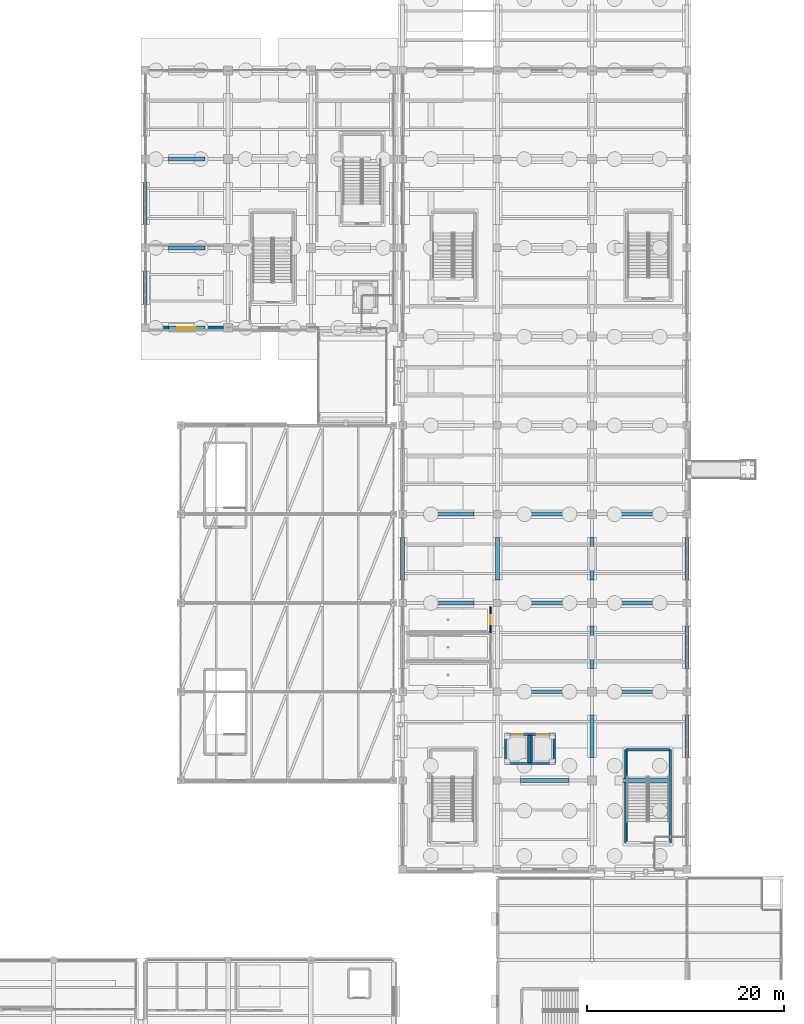
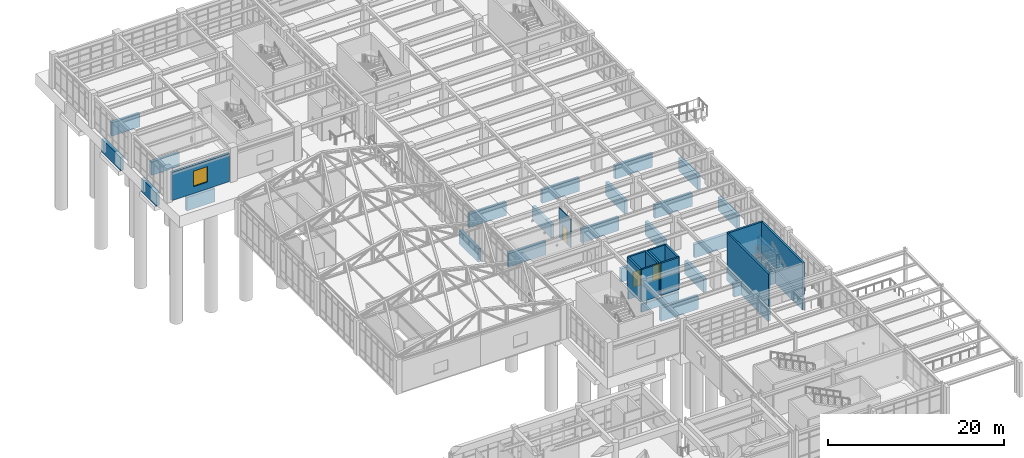
# One storey, part 113 of 139: 41 walls, 3 doors, 1 window, 4 openings.
"""IFC4 building model written with IfcOpenShell, lengths in metres."""

from ifc_helpers import new_model, si_unit, direction, frame, frame_2d, origin, place, context, subcontext, project, spatial, rectangle, extrude, material, layer, layer_set, type_object, element, fill, save


model = new_model("IFC4")

# Units and contexts
model_context = context("Model", 3, precision=1e-05, world=origin(), true_north=direction((0.0, 1.0)))
body_context = subcontext(model_context, "Body", "Model", "MODEL_VIEW")
ifc_project = project(units=[si_unit("LENGTHUNIT", "METRE"), si_unit("AREAUNIT", "SQUARE_METRE"), si_unit("VOLUMEUNIT", "CUBIC_METRE"), si_unit("PLANEANGLEUNIT", "RADIAN"), si_unit("MASSUNIT", "GRAM", prefix="KILO")], contexts=[model_context])

# Site, building, storey
site_placement = place(None, origin())
site = spatial("IfcSite", under=ifc_project, at=site_placement, CompositionType="ELEMENT")
building_placement = place(site_placement, origin())
building = spatial("IfcBuilding", under=site, at=building_placement, Name="Canglan Escarpment Cableway Terminal", CompositionType="ELEMENT")
storey_placement = place(building_placement, frame((0.0, 0.0, 14.39990234375)))
storey = spatial("IfcBuildingStorey", under=building, at=storey_placement, Name="L03", CompositionType="ELEMENT", Elevation=14.39990234375)

# Walls
ifc_material_1 = material(Name="Concrete C40", Category="concrete")
ifc_layer_1 = layer(ifc_material_1, 0.39990234375, Name="Concrete C40")
ifc_layer_set_1 = layer_set([ifc_layer_1], Name="Concrete C40")
wall_type_1 = type_object("IfcWallType", Name="WL-BENCH-SOLID-400", PredefinedType="SOLIDWALL", material=ifc_layer_set_1)
for number, where, z_axis, x_axis, name in (
    (1, (113.85009765625, 88.89990234375, -2.099853515625), (0.0, 0.0, 1.0), (1.0, 0.0, 0.0), "Hillside bench foundation wall BWALL-X-FB8-1-1"),
    (2, (113.85009765625, 97.0, -2.099853515625), (0.0, 0.0, 1.0), (1.0, 0.0, 0.0), "Hillside bench foundation wall BWALL-X-FB8-2-1"),
    (3, (113.85009765625, 106.0, -2.099853515625), (0.0, 0.0, 1.0), (1.0, 0.0, 0.0), "Hillside bench foundation wall BWALL-X-FB8-3-1"),
):
    element("IfcWall", number, at=place(storey_placement, frame(where, z_axis=z_axis, x_axis=x_axis)), inside=storey, type_object=wall_type_1, Name=name, PredefinedType="SOLIDWALL", context=body_context, shape_type="SweptSolid", body=[
        extrude(rectangle(XDim=3.699951171875, YDim=0.39990234375, at=frame_2d((1.85009765625, 0.0))), origin(), (0.0, 0.0, 1.0), 1.849853515625),
    ])
wall_1_placement = place(storey_placement, frame((111.5, 91.25, -2.099853515625), z_axis=(0.0, 0.0, 1.0), x_axis=(0.0, 1.0, 0.0)))
element("IfcWall", 4, at=wall_1_placement, inside=storey, type_object=wall_type_1, Name="Hillside bench transverse foundation wall BWALL-Y-FB8-1-1", PredefinedType="SOLIDWALL", context=body_context, shape_type="SweptSolid", body=[
    extrude(rectangle(XDim=3.39990234375, YDim=0.39990234375, at=frame_2d((1.699951171875, 0.0))), origin(), (0.0, 0.0, 1.0), 1.849853515625),
])
wall_2_placement = place(storey_placement, frame((111.5, 99.35009765625, -2.099853515625), z_axis=(0.0, 0.0, 1.0), x_axis=(0.0, 1.0, 0.0)))
element("IfcWall", 5, at=wall_2_placement, inside=storey, type_object=wall_type_1, Name="Hillside bench transverse foundation wall BWALL-Y-FB8-1-2", PredefinedType="SOLIDWALL", context=body_context, shape_type="SweptSolid", body=[
    extrude(rectangle(XDim=4.2998046875, YDim=0.39990234375, at=frame_2d((2.14990234375, 0.0))), origin(), (0.0, 0.0, 1.0), 1.849853515625),
])
wall_3_placement = place(storey_placement, frame((149.550048828125, 43.0, -2.099853515625), z_axis=(0.0, 0.0, 1.0), x_axis=(1.0, 0.0, 0.0)))
element("IfcWall", 6, at=wall_3_placement, inside=storey, type_object=wall_type_1, Name="Hillside bench foundation wall BWALL-X-FB9-2-2", PredefinedType="SOLIDWALL", context=body_context, shape_type="SweptSolid", body=[
    extrude(rectangle(XDim=4.89990234375, YDim=0.39990234375, at=frame_2d((2.449951171875, 0.0))), origin(), (0.0, 0.0, 1.0), 1.849853515625),
])
wall_4_placement = place(storey_placement, frame((159.14990234375, 43.0, -2.099853515625), z_axis=(0.0, 0.0, 1.0), x_axis=(1.0, 0.0, 0.0)))
element("IfcWall", 7, at=wall_4_placement, inside=storey, type_object=wall_type_1, Name="Hillside bench foundation wall BWALL-X-FB9-2-3", PredefinedType="SOLIDWALL", context=body_context, shape_type="SweptSolid", body=[
    extrude(rectangle(XDim=5.43017578125, YDim=0.39990234375, at=frame_2d((2.715087890625, 0.0))), origin(), (0.0, 0.0, 1.0), 1.849853515625),
])
wall_5_placement = place(storey_placement, frame((149.550048828125, 52.0, -2.099853515625), z_axis=(0.0, 0.0, 1.0), x_axis=(1.0, 0.0, 0.0)))
element("IfcWall", 8, at=wall_5_placement, inside=storey, type_object=wall_type_1, Name="Hillside bench foundation wall BWALL-X-FB9-3-2", PredefinedType="SOLIDWALL", context=body_context, shape_type="SweptSolid", body=[
    extrude(rectangle(XDim=4.89990234375, YDim=0.39990234375, at=frame_2d((2.449951171875, 0.0))), origin(), (0.0, 0.0, 1.0), 1.849853515625),
])
for number, where, z_axis, x_axis, name in (
    (9, (159.14990234375, 52.0, -2.099853515625), (0.0, 0.0, 1.0), (1.0, 0.0, 0.0), "Hillside bench foundation wall BWALL-X-FB9-3-3"),
    (10, (139.949951171875, 61.0, -2.099853515625), (0.0, 0.0, 1.0), (1.0, 0.0, 0.0), "Hillside bench foundation wall BWALL-X-FB9-4-1"),
):
    element("IfcWall", number, at=place(storey_placement, frame(where, z_axis=z_axis, x_axis=x_axis)), inside=storey, type_object=wall_type_1, Name=name, PredefinedType="SOLIDWALL", context=body_context, shape_type="SweptSolid", body=[
        extrude(rectangle(XDim=4.900146484375, YDim=0.39990234375, at=frame_2d((2.4501953125, 0.0))), origin(), (0.0, 0.0, 1.0), 1.849853515625),
    ])
wall_6_placement = place(storey_placement, frame((149.550048828125, 61.0, -2.099853515625), z_axis=(0.0, 0.0, 1.0), x_axis=(1.0, 0.0, 0.0)))
element("IfcWall", 11, at=wall_6_placement, inside=storey, type_object=wall_type_1, Name="Hillside bench foundation wall BWALL-X-FB9-4-2", PredefinedType="SOLIDWALL", context=body_context, shape_type="SweptSolid", body=[
    extrude(rectangle(XDim=4.89990234375, YDim=0.39990234375, at=frame_2d((2.449951171875, 0.0))), origin(), (0.0, 0.0, 1.0), 1.849853515625),
])
for number, where, z_axis, x_axis, name in (
    (12, (159.14990234375, 61.0, -2.099853515625), (0.0, 0.0, 1.0), (1.0, 0.0, 0.0), "Hillside bench foundation wall BWALL-X-FB9-4-3"),
    (13, (139.949951171875, 70.0, -2.099853515625), (0.0, 0.0, 1.0), (1.0, 0.0, 0.0), "Hillside bench foundation wall BWALL-X-FB9-5-1"),
):
    element("IfcWall", number, at=place(storey_placement, frame(where, z_axis=z_axis, x_axis=x_axis)), inside=storey, type_object=wall_type_1, Name=name, PredefinedType="SOLIDWALL", context=body_context, shape_type="SweptSolid", body=[
        extrude(rectangle(XDim=4.900146484375, YDim=0.39990234375, at=frame_2d((2.4501953125, 0.0))), origin(), (0.0, 0.0, 1.0), 1.849853515625),
    ])
wall_7_placement = place(storey_placement, frame((149.550048828125, 70.0, -2.099853515625), z_axis=(0.0, 0.0, 1.0), x_axis=(1.0, 0.0, 0.0)))
element("IfcWall", 14, at=wall_7_placement, inside=storey, type_object=wall_type_1, Name="Hillside bench foundation wall BWALL-X-FB9-5-2", PredefinedType="SOLIDWALL", context=body_context, shape_type="SweptSolid", body=[
    extrude(rectangle(XDim=4.89990234375, YDim=0.39990234375, at=frame_2d((2.449951171875, 0.0))), origin(), (0.0, 0.0, 1.0), 1.849853515625),
])
wall_8_placement = place(storey_placement, frame((159.14990234375, 70.0, -2.099853515625), z_axis=(0.0, 0.0, 1.0), x_axis=(1.0, 0.0, 0.0)))
element("IfcWall", 15, at=wall_8_placement, inside=storey, type_object=wall_type_1, Name="Hillside bench foundation wall BWALL-X-FB9-5-3", PredefinedType="SOLIDWALL", context=body_context, shape_type="SweptSolid", body=[
    extrude(rectangle(XDim=4.900146484375, YDim=0.39990234375, at=frame_2d((2.4501953125, 0.0))), origin(), (0.0, 0.0, 1.0), 1.849853515625),
])
for number, where, z_axis, x_axis, name in (
    (16, (137.60009765625, 63.35009765625, -2.099853515625), (0.0, 0.0, 1.0), (0.0, 1.0, 0.0), "Hillside bench transverse foundation wall BWALL-Y-FB9-1-4"),
    (17, (147.199951171875, 63.35009765625, -2.099853515625), (0.0, 0.0, 1.0), (0.0, 1.0, 0.0), "Hillside bench transverse foundation wall BWALL-Y-FB9-2-4"),
    (18, (156.800048828125, 45.35009765625, -2.099853515625), (0.0, 0.0, 1.0), (0.0, 1.0, 0.0), "Hillside bench transverse foundation wall BWALL-Y-FB9-3-2"),
    (19, (156.800048828125, 54.35009765625, -2.099853515625), (0.0, 0.0, 1.0), (0.0, 1.0, 0.0), "Hillside bench transverse foundation wall BWALL-Y-FB9-3-3"),
    (20, (156.800048828125, 63.35009765625, -2.099853515625), (0.0, 0.0, 1.0), (0.0, 1.0, 0.0), "Hillside bench transverse foundation wall BWALL-Y-FB9-3-4"),
    (21, (166.39990234375, 45.35009765625, -2.099853515625), (0.0, 0.0, 1.0), (0.0, 1.0, 0.0), "Hillside bench transverse foundation wall BWALL-Y-FB9-4-2"),
    (22, (166.39990234375, 54.35009765625, -2.099853515625), (0.0, 0.0, 1.0), (0.0, 1.0, 0.0), "Hillside bench transverse foundation wall BWALL-Y-FB9-4-3"),
    (23, (166.39990234375, 63.35009765625, -2.099853515625), (0.0, 0.0, 1.0), (0.0, 1.0, 0.0), "Hillside bench transverse foundation wall BWALL-Y-FB9-4-4"),
):
    element("IfcWall", number, at=place(storey_placement, frame(where, z_axis=z_axis, x_axis=x_axis)), inside=storey, type_object=wall_type_1, Name=name, PredefinedType="SOLIDWALL", context=body_context, shape_type="SweptSolid", body=[
        extrude(rectangle(XDim=4.2998046875, YDim=0.39990234375, at=frame_2d((2.14990234375, 0.0))), origin(), (0.0, 0.0, 1.0), 1.849853515625),
    ])
wall_9_placement = place(storey_placement, frame((164.719970703125, 36.679931640625, -2.099853515625), z_axis=(0.0, 0.0, 1.0), x_axis=(0.0, 1.0, 0.0)))
element("IfcWall", 24, at=wall_9_placement, inside=storey, type_object=wall_type_1, Name="Stair core foundation wall ST-15", PredefinedType="SOLIDWALL", context=body_context, shape_type="SweptSolid", body=[
    extrude(rectangle(XDim=9.440185546875, YDim=0.280029296875, at=frame_2d((4.72021484375, 0.0))), origin(), (0.0, 0.0, 1.0), 1.800048828125),
])
wall_10_placement = place(storey_placement, frame((164.719970703125, 46.1201171875, -2.099853515625), z_axis=(0.0, 0.0, 1.0), x_axis=(-1.0, 0.0, 0.0)))
element("IfcWall", 25, at=wall_10_placement, inside=storey, type_object=wall_type_1, Name="Stair core foundation wall ST-15", PredefinedType="SOLIDWALL", context=body_context, shape_type="SweptSolid", body=[
    extrude(rectangle(XDim=4.489990234375, YDim=0.280029296875, at=frame_2d((2.2451171875, 0.0))), origin(), (0.0, 0.0, 1.0), 1.800048828125),
])
wall_11_placement = place(storey_placement, frame((160.22998046875, 46.1201171875, -2.099853515625), z_axis=(0.0, 0.0, 1.0), x_axis=(0.0, -1.0, 0.0)))
element("IfcWall", 26, at=wall_11_placement, inside=storey, type_object=wall_type_1, Name="Stair core foundation wall ST-15", PredefinedType="SOLIDWALL", context=body_context, shape_type="SweptSolid", body=[
    extrude(rectangle(XDim=9.440185546875, YDim=0.280029296875, at=frame_2d((4.72021484375, 0.0))), origin(), (0.0, 0.0, 1.0), 1.800048828125),
])
ifc_layer_2 = layer(ifc_material_1, 0.239990234375, Name="Concrete C40")
ifc_layer_set_2 = layer_set([ifc_layer_2], Name="Concrete C40")
wall_type_2 = type_object("IfcWallType", Name="WL-CORE-SHEAR-240", PredefinedType="SHEAR", material=ifc_layer_set_2)
wall_12_placement = place(storey_placement, frame((164.719970703125, 36.679931640625, 0.0), z_axis=(0.0, 0.0, 1.0), x_axis=(0.0, 1.0, 0.0)))
element("IfcWall", 27, at=wall_12_placement, inside=storey, type_object=wall_type_2, Name="Protected stair core wall ST-15 (L03)", PredefinedType="SHEAR", context=body_context, shape_type="SweptSolid", body=[
    extrude(rectangle(XDim=9.440185546875, YDim=0.239990234375, at=frame_2d((4.72021484375, 0.0))), origin(), (0.0, 0.0, 1.0), 4.5),
])
wall_13_placement = place(storey_placement, frame((164.719970703125, 46.1201171875, 0.0), z_axis=(0.0, 0.0, 1.0), x_axis=(-1.0, 0.0, 0.0)))
element("IfcWall", 28, at=wall_13_placement, inside=storey, type_object=wall_type_2, Name="Protected stair core wall ST-15 (L03)", PredefinedType="SHEAR", context=body_context, shape_type="SweptSolid", body=[
    extrude(rectangle(XDim=4.489990234375, YDim=0.239990234375, at=frame_2d((2.2451171875, 0.0))), origin(), (0.0, 0.0, 1.0), 4.5),
])
wall_14_placement = place(storey_placement, frame((160.22998046875, 46.1201171875, 0.0), z_axis=(0.0, 0.0, 1.0), x_axis=(0.0, -1.0, 0.0)))
element("IfcWall", 29, at=wall_14_placement, inside=storey, type_object=wall_type_2, Name="Protected stair core wall ST-15 (L03)", PredefinedType="SHEAR", context=body_context, shape_type="SweptSolid", body=[
    extrude(rectangle(XDim=9.440185546875, YDim=0.239990234375, at=frame_2d((4.72021484375, 0.0))), origin(), (0.0, 0.0, 1.0), 4.5),
])

# Wall, opening, window
ifc_material_2 = material(Name="Bush-hammered granite ashlar on Concrete C40", Category="masonry")
ifc_layer_3 = layer(ifc_material_2, 0.340087890625, Name="Bush-hammered granite ashlar on Concrete C40")
ifc_layer_set_3 = layer_set([ifc_layer_3], Name="Bush-hammered granite ashlar on Concrete C40")
wall_type_3 = type_object("IfcWallType", Name="WL-EXT-GRAN-340", PredefinedType="STANDARD", material=ifc_layer_set_3)
wall_15_placement = place(storey_placement, frame((111.875, 88.89990234375, 0.0), z_axis=(0.0, 0.0, 1.0), x_axis=(1.0, 0.0, 0.0)))
wall_15 = element("IfcWall", 30, at=wall_15_placement, inside=storey, type_object=wall_type_3, Name="Classical stone-faced exterior wall EW-FB8-L03-S-01", PredefinedType="STANDARD", context=body_context, shape_type="SweptSolid", body=[
    extrude(rectangle(XDim=7.574951171875, YDim=0.340087890625, at=frame_2d((3.78759765625, 0.0))), origin(), (0.0, 0.0, 1.0), 3.89111328125),
])
opening_1_placement = place(wall_15_placement, frame((2.862548828125, 0.0, 0.949951171875)))
opening_1 = element("IfcOpeningElement", 31, at=opening_1_placement, cuts=wall_15, Name="Opening W-16", PredefinedType="OPENING", context=body_context, shape_type="SweptSolid", body=[
    extrude(rectangle(XDim=1.85009765625, YDim=2.14990234375, at=frame_2d((0.925048828125, 1.074951171875))), frame((0.0, 0.18017578125, 0.0), z_axis=(0.0, -1.0, 0.0), x_axis=(1.0, 0.0, 0.0)), (0.0, 0.0, 1.0), 0.360107421875),
])
ifc_material_3 = material(Name="Anodized bronze aluminium and Low-E double glazing", Category="aluminium")
window_type = type_object("IfcWindowType", Name="WIN-EXT-16", PartitioningType="DOUBLE_PANEL_VERTICAL", PredefinedType="WINDOW", material=ifc_material_3)
window_placement = place(opening_1_placement, origin())
window = element("IfcWindow", 32, at=window_placement, inside=storey, type_object=window_type, Name="Classical module window W-16", OverallHeight=2.14990234375, OverallWidth=1.85009765625, PartitioningType="SINGLE_PANEL", PredefinedType="WINDOW", context=body_context, shape_type="SweptSolid", body=[
    extrude(rectangle(XDim=1.85009765625, YDim=2.14990234375, at=frame_2d((0.925048828125, 1.074951171875))), frame((0.0, 0.030029296875, 0.0), z_axis=(0.0, -1.0, 0.0), x_axis=(1.0, 0.0, 0.0)), (0.0, 0.0, 1.0), 0.06005859375),
])
fill(opening_1, window)

# Wall, opening, door
ifc_material_4 = material(Name="Moisture-resistant tile-faced partition", Category="gypsum")
ifc_layer_4 = layer(ifc_material_4, 0.1201171875, Name="Moisture-resistant tile-faced partition")
ifc_layer_set_4 = layer_set([ifc_layer_4], Name="Moisture-resistant tile-faced partition")
wall_type_4 = type_object("IfcWallType", Name="WL-INT-PART-120", PredefinedType="PARTITIONING", material=ifc_layer_set_4)
wall_16_placement = place(storey_placement, frame((146.5, 58.0, 0.0), z_axis=(0.0, 0.0, 1.0), x_axis=(0.0, 1.0, 0.0)))
wall_16 = element("IfcWall", 33, at=wall_16_placement, inside=storey, type_object=wall_type_4, Name="Interior partition wall IW-L03-17-MAIN", PredefinedType="PARTITIONING", context=body_context, shape_type="SweptSolid", body=[
    extrude(rectangle(XDim=2.60009765625, YDim=0.1201171875, at=frame_2d((1.300048828125, 0.0))), origin(), (0.0, 0.0, 1.0), 3.985107421875),
])
opening_2_placement = place(wall_16_placement, frame((0.824951171875, 0.0, 0.0)))
opening_2 = element("IfcOpeningElement", 34, at=opening_2_placement, cuts=wall_16, Name="Opening ID-01", PredefinedType="OPENING", context=body_context, shape_type="SweptSolid", body=[
    extrude(rectangle(XDim=0.949951171875, YDim=2.1201171875, at=frame_2d((0.47509765625, 1.06005859375))), frame((0.0, 0.070068359375, 0.0), z_axis=(0.0, -1.0, 0.0), x_axis=(1.0, 0.0, 0.0)), (0.0, 0.0, 1.0), 0.14013671875),
])
ifc_material_5 = material(Name="Stained oak and safety glass door", Category="glass")
door_type_1 = type_object("IfcDoorType", Name="DR-INT-ID-01", OperationType="NOTDEFINED", PredefinedType="DOOR", material=ifc_material_5)
door_1_placement = place(opening_2_placement, origin())
door_1 = element("IfcDoor", 35, at=door_1_placement, inside=storey, type_object=door_type_1, Name="Female WC door ID-01", OperationType="SINGLE_SWING_RIGHT", OverallHeight=2.1201171875, OverallWidth=0.949951171875, PredefinedType="DOOR", context=body_context, shape_type="SweptSolid", body=[
    extrude(rectangle(XDim=0.949951171875, YDim=2.1201171875, at=frame_2d((0.47509765625, 1.06005859375))), frame((0.0, 0.02490234375, 0.0), z_axis=(0.0, -1.0, 0.0), x_axis=(1.0, 0.0, 0.0)), (0.0, 0.0, 1.0), 0.050048828125),
])
fill(opening_2, door_1)

# Walls
ifc_layer_5 = layer(ifc_material_1, 0.219970703125, Name="Concrete C40")
ifc_layer_set_5 = layer_set([ifc_layer_5], Name="Concrete C40")
wall_type_5 = type_object("IfcWallType", Name="WL-SHAFT-SHEAR-220", PredefinedType="SHEAR", material=ifc_layer_set_5)
for number, where, z_axis, x_axis, name in (
    (36, (148.02001953125, 44.719970703125, -1.39990234375), (0.0, 0.0, 1.0), (1.0, 0.0, 0.0), "Elevator pit wall LF-03"),
    (37, (148.02001953125, 47.679931640625, -1.39990234375), (0.0, 0.0, 1.0), (1.0, 0.0, 0.0), "Elevator pit wall LF-03"),
):
    element("IfcWall", number, at=place(storey_placement, frame(where, z_axis=z_axis, x_axis=x_axis)), inside=storey, type_object=wall_type_5, Name=name, PredefinedType="SHEAR", context=body_context, shape_type="SweptSolid", body=[
        extrude(rectangle(XDim=4.9599609375, YDim=0.219970703125, at=frame_2d((2.47998046875, 0.0))), origin(), (0.0, 0.0, 1.0), 1.1201171875),
    ])
wall_17_placement = place(storey_placement, frame((148.0400390625, 44.739990234375, 0.0), z_axis=(0.0, 0.0, 1.0), x_axis=(1.0, 0.0, 0.0)))
element("IfcWall", 38, at=wall_17_placement, inside=storey, type_object=wall_type_5, Name="Elevator core shaft wall LF-03 (L03)", PredefinedType="SHEAR", context=body_context, shape_type="SweptSolid", body=[
    extrude(rectangle(XDim=2.320068359375, YDim=0.219970703125, at=frame_2d((1.16015625, 0.0))), origin(), (0.0, 0.0, 1.0), 4.5),
])
wall_18_placement = place(storey_placement, frame((150.360107421875, 44.739990234375, 0.0), z_axis=(0.0, 0.0, 1.0), x_axis=(0.0, 1.0, 0.0)))
element("IfcWall", 39, at=wall_18_placement, inside=storey, type_object=wall_type_5, Name="Elevator core shaft wall LF-03 (L03)", PredefinedType="SHEAR", context=body_context, shape_type="SweptSolid", body=[
    extrude(rectangle(XDim=2.919921875, YDim=0.219970703125, at=frame_2d((1.4599609375, 0.0))), origin(), (0.0, 0.0, 1.0), 4.5),
])

# Wall, opening, door
wall_19_placement = place(storey_placement, frame((150.360107421875, 47.659912109375, 0.0), z_axis=(0.0, 0.0, 1.0), x_axis=(-1.0, 0.0, 0.0)))
wall_19 = element("IfcWall", 40, at=wall_19_placement, inside=storey, type_object=wall_type_5, Name="Elevator core shaft wall LF-03 (L03)", PredefinedType="SHEAR", context=body_context, shape_type="SweptSolid", body=[
    extrude(rectangle(XDim=2.320068359375, YDim=0.219970703125, at=frame_2d((1.16015625, 0.0))), origin(), (0.0, 0.0, 1.0), 4.5),
])
opening_3_placement = place(wall_19_placement, frame((0.610107421875, 0.0, 0.0)))
opening_3 = element("IfcOpeningElement", 41, at=opening_3_placement, cuts=wall_19, Name="Opening LD-01", PredefinedType="OPENING", context=body_context, shape_type="SweptSolid", body=[
    extrude(rectangle(XDim=1.10009765625, YDim=2.14990234375, at=frame_2d((0.550048828125, 1.074951171875))), frame((0.0, 0.1201171875, 0.0), z_axis=(0.0, -1.0, 0.0), x_axis=(1.0, 0.0, 0.0)), (0.0, 0.0, 1.0), 0.239990234375),
])
ifc_material_6 = material(Name="Brushed stainless steel lift landing door", Category="steel")
door_type_2 = type_object("IfcDoorType", Name="DR-LIFT-SLIDE-1100", OperationType="DOUBLE_DOOR_SLIDING", PredefinedType="DOOR", material=ifc_material_6)
door_2_placement = place(opening_3_placement, origin())
door_2 = element("IfcDoor", 42, at=door_2_placement, inside=storey, type_object=door_type_2, Name="Elevator sliding landing door LF-03 (L03)", OperationType="DOUBLE_DOOR_SLIDING", OverallHeight=2.14990234375, OverallWidth=1.10009765625, PredefinedType="DOOR", context=body_context, shape_type="SweptSolid", body=[
    extrude(rectangle(XDim=1.10009765625, YDim=2.14990234375, at=frame_2d((0.550048828125, 1.074951171875))), frame((0.0, 0.02490234375, 0.0), z_axis=(0.0, -1.0, 0.0), x_axis=(1.0, 0.0, 0.0)), (0.0, 0.0, 1.0), 0.050048828125),
])
fill(opening_3, door_2)

# Walls
wall_20_placement = place(storey_placement, frame((148.0400390625, 47.659912109375, 0.0), z_axis=(0.0, 0.0, 1.0), x_axis=(0.0, -1.0, 0.0)))
element("IfcWall", 43, at=wall_20_placement, inside=storey, type_object=wall_type_5, Name="Elevator core shaft wall LF-03 (L03)", PredefinedType="SHEAR", context=body_context, shape_type="SweptSolid", body=[
    extrude(rectangle(XDim=2.919921875, YDim=0.219970703125, at=frame_2d((1.4599609375, 0.0))), origin(), (0.0, 0.0, 1.0), 4.5),
])
wall_21_placement = place(storey_placement, frame((150.639892578125, 44.739990234375, 0.0), z_axis=(0.0, 0.0, 1.0), x_axis=(1.0, 0.0, 0.0)))
element("IfcWall", 44, at=wall_21_placement, inside=storey, type_object=wall_type_5, Name="Elevator core shaft wall LF-04 (L03)", PredefinedType="SHEAR", context=body_context, shape_type="SweptSolid", body=[
    extrude(rectangle(XDim=2.320068359375, YDim=0.219970703125, at=frame_2d((1.16015625, 0.0))), origin(), (0.0, 0.0, 1.0), 4.5),
])
wall_22_placement = place(storey_placement, frame((152.9599609375, 44.739990234375, 0.0), z_axis=(0.0, 0.0, 1.0), x_axis=(0.0, 1.0, 0.0)))
element("IfcWall", 45, at=wall_22_placement, inside=storey, type_object=wall_type_5, Name="Elevator core shaft wall LF-04 (L03)", PredefinedType="SHEAR", context=body_context, shape_type="SweptSolid", body=[
    extrude(rectangle(XDim=2.919921875, YDim=0.219970703125, at=frame_2d((1.4599609375, 0.0))), origin(), (0.0, 0.0, 1.0), 4.5),
])

# Wall, opening, door
wall_23_placement = place(storey_placement, frame((152.9599609375, 47.659912109375, 0.0), z_axis=(0.0, 0.0, 1.0), x_axis=(-1.0, 0.0, 0.0)))
wall_23 = element("IfcWall", 46, at=wall_23_placement, inside=storey, type_object=wall_type_5, Name="Elevator core shaft wall LF-04 (L03)", PredefinedType="SHEAR", context=body_context, shape_type="SweptSolid", body=[
    extrude(rectangle(XDim=2.320068359375, YDim=0.219970703125, at=frame_2d((1.16015625, 0.0))), origin(), (0.0, 0.0, 1.0), 4.5),
])
opening_4_placement = place(wall_23_placement, frame((0.610107421875, 0.0, 0.0)))
opening_4 = element("IfcOpeningElement", 47, at=opening_4_placement, cuts=wall_23, Name="Opening LD-01", PredefinedType="OPENING", context=body_context, shape_type="SweptSolid", body=[
    extrude(rectangle(XDim=1.10009765625, YDim=2.14990234375, at=frame_2d((0.550048828125, 1.074951171875))), frame((0.0, 0.1201171875, 0.0), z_axis=(0.0, -1.0, 0.0), x_axis=(1.0, 0.0, 0.0)), (0.0, 0.0, 1.0), 0.239990234375),
])
door_3_placement = place(opening_4_placement, origin())
door_3 = element("IfcDoor", 48, at=door_3_placement, inside=storey, type_object=door_type_2, Name="Elevator sliding landing door LF-04 (L03)", OperationType="DOUBLE_DOOR_SLIDING", OverallHeight=2.14990234375, OverallWidth=1.10009765625, PredefinedType="DOOR", context=body_context, shape_type="SweptSolid", body=[
    extrude(rectangle(XDim=1.10009765625, YDim=2.14990234375, at=frame_2d((0.550048828125, 1.074951171875))), frame((0.0, 0.02490234375, 0.0), z_axis=(0.0, -1.0, 0.0), x_axis=(1.0, 0.0, 0.0)), (0.0, 0.0, 1.0), 0.050048828125),
])
fill(opening_4, door_3)

# Wall
wall_24_placement = place(storey_placement, frame((150.639892578125, 47.659912109375, 0.0), z_axis=(0.0, 0.0, 1.0), x_axis=(0.0, -1.0, 0.0)))
element("IfcWall", 49, at=wall_24_placement, inside=storey, type_object=wall_type_5, Name="Elevator core shaft wall LF-04 (L03)", PredefinedType="SHEAR", context=body_context, shape_type="SweptSolid", body=[
    extrude(rectangle(XDim=2.919921875, YDim=0.219970703125, at=frame_2d((1.4599609375, 0.0))), origin(), (0.0, 0.0, 1.0), 4.5),
])

save(model, "model.ifc")
